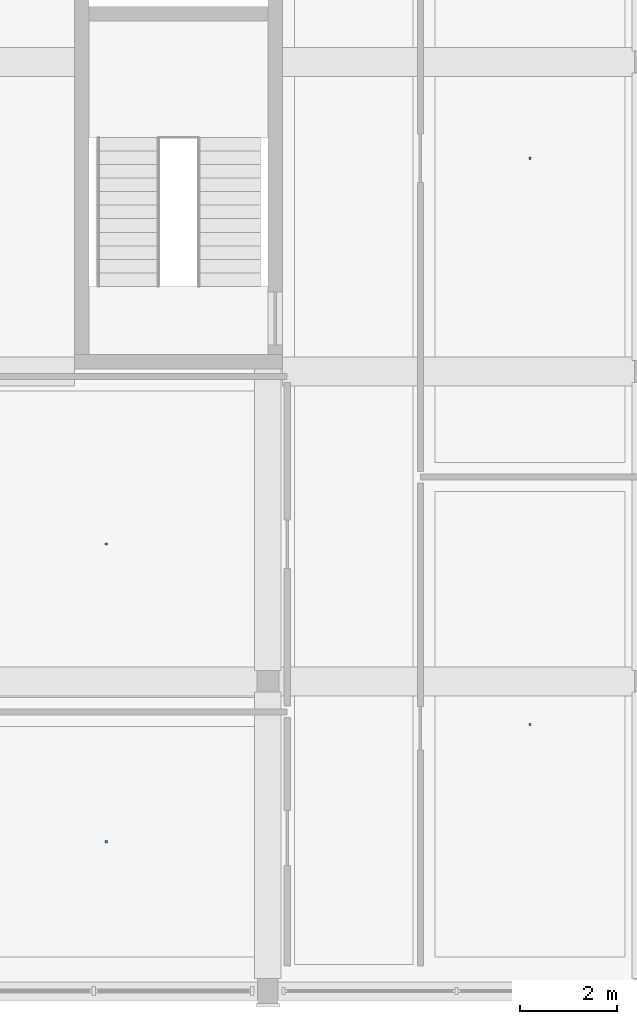
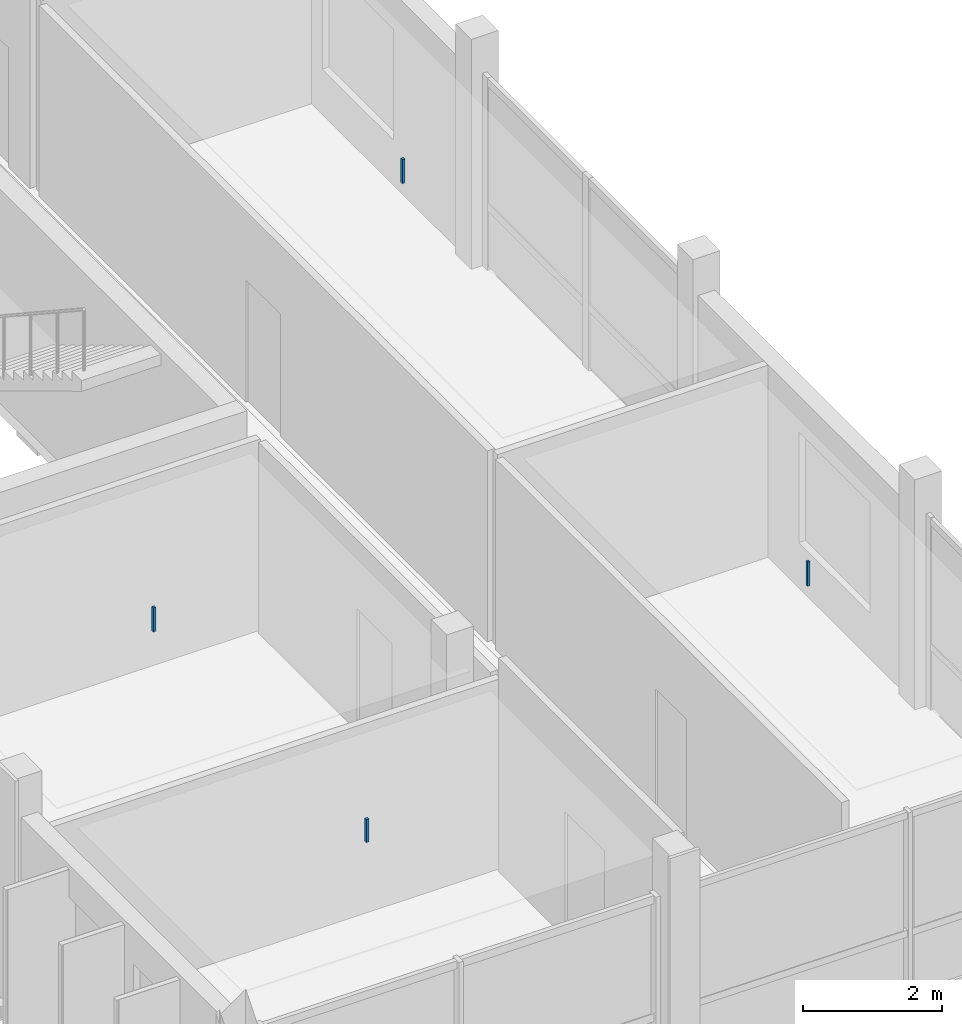
# One storey, part 30 of 48: 4 discrete accessories.
"""IFC4 building model written with IfcOpenShell, lengths in metres."""

from ifc_helpers import new_model, si_unit, derived_unit, direction, frame, origin, origin_2d, place, context, subcontext, project, spatial, rectangle, extrude, material, type_object, element, save


model = new_model("IFC4")

# Units and contexts
model_context = context("Model", 3, precision=1e-05, world=origin(), true_north=direction((0.0, 1.0)))
body_context = subcontext(model_context, "Body", "Model", "MODEL_VIEW")
ifc_project = project(units=[si_unit("LENGTHUNIT", "METRE"), si_unit("AREAUNIT", "SQUARE_METRE"), si_unit("VOLUMEUNIT", "CUBIC_METRE"), si_unit("PLANEANGLEUNIT", "RADIAN"), si_unit("MASSUNIT", "GRAM", prefix="KILO"), derived_unit("THERMALTRANSMITTANCEUNIT", [(si_unit("POWERUNIT", "WATT"), 1), (si_unit("LENGTHUNIT", "METRE"), -2), (si_unit("THERMODYNAMICTEMPERATUREUNIT", "KELVIN"), -1)])], contexts=[model_context])

# Site, building, storey
site_placement = place(None, origin())
site = spatial("IfcSite", under=ifc_project, at=site_placement, CompositionType="ELEMENT")
building_placement = place(site_placement, origin())
building = spatial("IfcBuilding", under=site, at=building_placement, Name="Braskholm Square Health Centre", CompositionType="ELEMENT")
storey_placement = place(building_placement, frame((0.0, 0.0, 17.550048828125)))
storey = spatial("IfcBuildingStorey", under=building, at=storey_placement, Name="L05", CompositionType="ELEMENT", Elevation=17.550048828125)

# Discrete accessories
ifc_material = material(Name="Steel ASTM A500 Grade C", Category="steel")
discrete_accessory_type = type_object("IfcDiscreteAccessoryType", Name="CeilingSuspensionBracket", PredefinedType="BRACKET", material=ifc_material)
discrete_accessory_placement = place(storey_placement, frame((8.06005859375, 7.284912109375, 3.3720703125), z_axis=(0.0, 0.0, 1.0), x_axis=(1.0, 0.0, 0.0)))
element("IfcDiscreteAccessory", 1, at=discrete_accessory_placement, inside=storey, type_object=discrete_accessory_type, Name="Ceiling hanger bracket 0079", PredefinedType="BRACKET", context=body_context, shape_type="SweptSolid", body=[
    extrude(rectangle(XDim=0.044921875, YDim=0.044921875, at=origin_2d()), origin(), (0.0, 0.0, 1.0), 0.409912109375),
])
for number, where, z_axis, x_axis, name in (
    (2, (8.06005859375, 13.43505859375, 3.35205078125), (0.0, 0.0, 1.0), (1.0, 0.0, 0.0), "Ceiling hanger bracket 0080"),
    (3, (16.81494140625, 9.7099609375, 3.35205078125), (0.0, 0.0, 1.0), (1.0, 0.0, 0.0), "Ceiling hanger bracket 0089"),
    (4, (16.81494140625, 21.409912109375, 3.35205078125), (0.0, 0.0, 1.0), (1.0, 0.0, 0.0), "Ceiling hanger bracket 0090"),
):
    element("IfcDiscreteAccessory", number, at=place(storey_placement, frame(where, z_axis=z_axis, x_axis=x_axis)), inside=storey, type_object=discrete_accessory_type, Name=name, PredefinedType="BRACKET", context=body_context, shape_type="SweptSolid", body=[
        extrude(rectangle(XDim=0.044921875, YDim=0.044921875, at=origin_2d()), origin(), (0.0, 0.0, 1.0), 0.429931640625),
    ])

save(model, "model.ifc")
